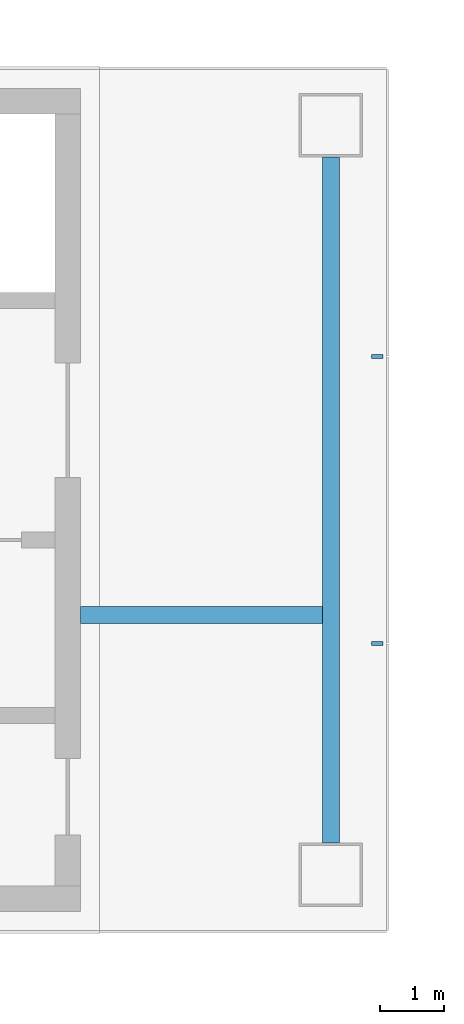
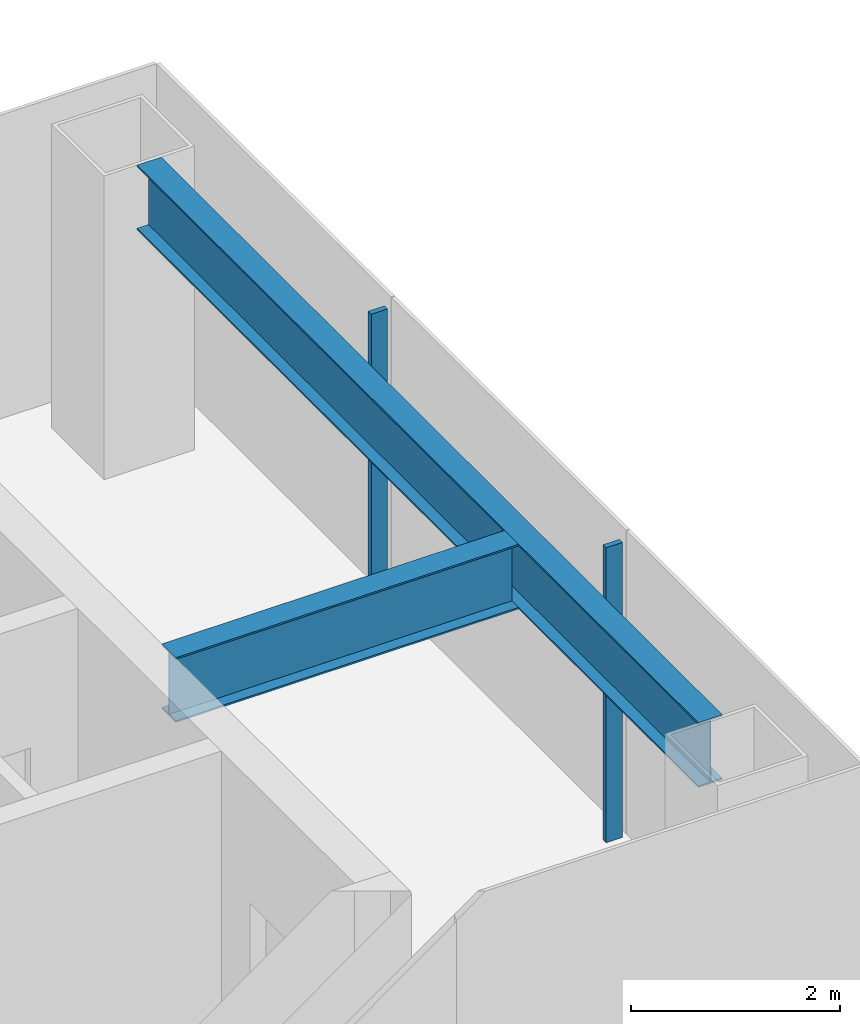
# One storey, part 4 of 16: 2 beams, 2 members, 1 element without a shape of its own.
"""IFC4 building model written with IfcOpenShell, lengths in metres."""

import ifcopenshell
import ifcopenshell.guid

model = None  # the IFC model being written
_history = None  # IfcOwnerHistory: only IFC2X3 demands one
_inside = {}  # id of a spatial element -> (the spatial element, [elements in it])
_under = {}  # id of a project, library or spatial element -> (it, [spatial elements below it])
_declared = {}  # id of a project -> (the project, [libraries it declares])
_typed = {}  # id of a type object -> (the type object, [elements of that type])
_made_of = {}  # id of a material, layer set ... -> (it, [elements and type objects made of it])


def new_model(schema):
    """Start an empty IFC model of exactly this schema.

    Asked for "IFC4X3", IfcOpenShell would pick the latest addendum, in which some entities
    have other attributes; the version numbers below select the first issue.
    IFC2X3 requires an IfcOwnerHistory on every rooted entity: one is made here for all.
    """
    global model, _history
    if schema == "IFC4X3":
        model = ifcopenshell.file(schema_version=(4, 3, 0, 0))
    else:
        model = ifcopenshell.file(schema=schema)
    _inside.clear()
    _under.clear()
    _declared.clear()
    _typed.clear()
    _made_of.clear()
    _history = None
    if model.schema == "IFC2X3":
        org = make("IfcOrganization", Name="unknown")
        user = make(
            "IfcPersonAndOrganization",
            ThePerson=make("IfcPerson", FamilyName="unknown"),
            TheOrganization=org,
        )
        app = make(
            "IfcApplication",
            ApplicationDeveloper=org,
            Version="unknown",
            ApplicationFullName="unknown",
            ApplicationIdentifier="unknown",
        )
        _history = make(
            "IfcOwnerHistory",
            OwningUser=user,
            OwningApplication=app,
            ChangeAction="ADDED",
            CreationDate=0,
        )
    return model


def make(cls, **values):
    """One entity of the class cls with the attributes given. An attribute that is None is left unset."""
    return model.create_entity(
        cls, **{name: value for name, value in values.items() if value is not None}
    )


def rooted(cls, **values):
    """An entity with a GlobalId (a new one), such as an element, a storey or a relation."""
    return make(cls, GlobalId=ifcopenshell.guid.new(), OwnerHistory=_history, **values)


def si_unit(unit_type, name, prefix=None):
    """IfcSIUnit, for example si_unit("LENGTHUNIT", "METRE", prefix="MILLI")."""
    return make("IfcSIUnit", UnitType=unit_type, Prefix=prefix, Name=name)


def assignment(units):
    """IfcUnitAssignment: the units of a project."""
    return None if units is None else make("IfcUnitAssignment", Units=units)


def point(xyz):
    """IfcCartesianPoint."""
    return None if xyz is None else make("IfcCartesianPoint", Coordinates=xyz)


def direction(xyz):
    """IfcDirection."""
    return None if xyz is None else make("IfcDirection", DirectionRatios=xyz)


def frame(location, z_axis=None, x_axis=None):
    """IfcAxis2Placement3D, a coordinate frame: its origin and axes. An axis left out is left unset."""
    return make(
        "IfcAxis2Placement3D",
        Location=point(location),
        Axis=direction(z_axis),
        RefDirection=direction(x_axis),
    )


def frame_2d(location, x_axis=None):
    """IfcAxis2Placement2D, a coordinate frame in the plane: its origin and x axis."""
    return make(
        "IfcAxis2Placement2D", Location=point(location), RefDirection=direction(x_axis)
    )


def origin():
    """The frame at (0, 0, 0) with its axes left unset."""
    return frame((0.0, 0.0, 0.0))


def origin_2d():
    """The frame at (0, 0) in the plane with its x axis left unset."""
    return frame_2d((0.0, 0.0))


def place(relative_to, where):
    """IfcLocalPlacement: puts the frame where relative to a parent placement (None: the world)."""
    return make(
        "IfcLocalPlacement", PlacementRelTo=relative_to, RelativePlacement=where
    )


def context(
    kind, dimensions, precision=None, world=None, true_north=None, identifier=None
):
    """IfcGeometricRepresentationContext, for example the 3D "Model" context."""
    return make(
        "IfcGeometricRepresentationContext",
        ContextIdentifier=identifier,
        ContextType=kind,
        CoordinateSpaceDimension=dimensions,
        Precision=precision,
        WorldCoordinateSystem=world,
        TrueNorth=true_north,
    )


def subcontext(parent, identifier, kind, view, scale=None):
    """IfcGeometricRepresentationSubContext, for example "Body" below "Model"."""
    return make(
        "IfcGeometricRepresentationSubContext",
        ContextIdentifier=identifier,
        ContextType=kind,
        ParentContext=parent,
        TargetScale=scale,
        TargetView=view,
    )


def project(units=None, contexts=None):
    """IfcProject with its units and contexts."""
    return rooted(
        "IfcProject",
        Name="project",
        RepresentationContexts=contexts,
        UnitsInContext=assignment(units),
    )


def spatial(cls, under=None, at=None, **own):
    """A site, building, storey or space (cls), placed at a placement, below another one or the project."""
    s = rooted(cls, ObjectPlacement=at, **own)
    if under is not None:
        _under.setdefault(under.id(), (under, []))[1].append(s)
    return s


def profile(cls, at=None, kind="AREA", **sizes):
    """A parametric profile (cls). Its sizes go by their IFC names, for example OverallWidth=200.0."""
    return make(cls, ProfileType=kind, Position=at, **sizes)


def rectangle(**sizes):
    """IfcRectangleProfileDef."""
    return profile("IfcRectangleProfileDef", **sizes)


def i_section(**sizes):
    """IfcIShapeProfileDef."""
    return profile("IfcIShapeProfileDef", **sizes)


def extrude(swept, where, along, depth):
    """IfcExtrudedAreaSolid: the profile swept, set in the frame where, extruded along a direction by depth."""
    return make(
        "IfcExtrudedAreaSolid",
        SweptArea=swept,
        Position=where,
        ExtrudedDirection=direction(along),
        Depth=depth,
    )


def shape(context_of_items, identifier, shape_type, items):
    """IfcShapeRepresentation: the items that make up one representation, for example the "Body"."""
    return make(
        "IfcShapeRepresentation",
        ContextOfItems=context_of_items,
        RepresentationIdentifier=identifier,
        RepresentationType=shape_type,
        Items=items,
    )


def material(Name=None, Category=None):
    """IfcMaterial."""
    return make("IfcMaterial", Name=Name, Category=Category)


def layer(
    of_material, thickness, ventilated=None, Name=None, Category=None, Priority=None
):
    """IfcMaterialLayer: one layer of a wall or slab, of a material (None: an air gap)."""
    return make(
        "IfcMaterialLayer",
        Material=of_material,
        LayerThickness=thickness,
        IsVentilated=ventilated,
        Name=Name,
        Category=Category,
        Priority=Priority,
    )


def layer_set(layers, Name=None):
    """IfcMaterialLayerSet."""
    return make("IfcMaterialLayerSet", MaterialLayers=layers, LayerSetName=Name)


def material_profile(
    of_material, cross_section, Name=None, Category=None, Priority=None
):
    """IfcMaterialProfile: a cross section and its material."""
    return make(
        "IfcMaterialProfile",
        Name=Name,
        Material=of_material,
        Profile=cross_section,
        Priority=Priority,
        Category=Category,
    )


def profile_set(profiles, Name=None, composite=None):
    """IfcMaterialProfileSet."""
    return make(
        "IfcMaterialProfileSet",
        Name=Name,
        MaterialProfiles=profiles,
        CompositeProfile=composite,
    )


def made_of(thing, what):
    """Note that an element or type object is made of a material, layer set ...; save() writes the relation."""
    if what is not None:
        _made_of.setdefault(what.id(), (what, []))[1].append(thing)
    return thing


def type_object(cls, material=None, **own):
    """A type object (cls), such as IfcWallType, which elements share."""
    return made_of(rooted(cls, **own), material)


def element(
    cls,
    number,
    at=None,
    inside=None,
    cuts=None,
    type_object=None,
    material=None,
    context=None,
    identifier="Body",
    shape_type=None,
    held_by="IfcProductDefinitionShape",
    body=None,
    shapes=None,
    **own,
):
    """One element of the class cls, such as IfcWall. Its Tag is "e" and its number.

    at: its placement. inside: the storey or other place that contains it. cuts: it is an
    opening in that element (IfcRelVoidsElement). A single representation is given by context,
    identifier, shape_type and body (its items); several are given by shapes. held_by: the class
    of the entity that holds the representations. save() writes the other relations.
    """
    e = rooted(cls, Tag="e%d" % number, ObjectPlacement=at, **own)
    if body is not None:
        shapes = [shape(context, identifier, shape_type, body)]
    if shapes is not None:
        e.Representation = make(held_by, Representations=shapes)
    if inside is not None:
        _inside.setdefault(inside.id(), (inside, []))[1].append(e)
    if cuts is not None:
        rooted(
            "IfcRelVoidsElement", RelatingBuildingElement=cuts, RelatedOpeningElement=e
        )
    if type_object is not None:
        _typed.setdefault(type_object.id(), (type_object, []))[1].append(e)
    return made_of(e, material)


def aggregate(whole, parts):
    """IfcRelAggregates: a whole, such as a stair, and the parts it consists of."""
    return rooted("IfcRelAggregates", RelatingObject=whole, RelatedObjects=parts)


def save(model, path):
    """Write the relations noted so far, then the file.

    IfcRelAggregates (storeys below a building ...), IfcRelContainedInSpatialStructure (elements
    in a storey), IfcRelDefinesByType, IfcRelAssociatesMaterial and IfcRelDeclares: one each for
    every whole, place, type object, material and project.
    """
    for whole, parts in _under.values():
        aggregate(whole, parts)
    for where, things in _inside.values():
        rooted(
            "IfcRelContainedInSpatialStructure",
            RelatedElements=things,
            RelatingStructure=where,
        )
    for kind, things in _typed.values():
        rooted("IfcRelDefinesByType", RelatedObjects=things, RelatingType=kind)
    for what, things in _made_of.values():
        rooted("IfcRelAssociatesMaterial", RelatedObjects=things, RelatingMaterial=what)
    for by, libraries in _declared.values():
        rooted("IfcRelDeclares", RelatingContext=by, RelatedDefinitions=libraries)
    model.write(path)


model = new_model("IFC4")

# Units and contexts
model_context = context("Model", 3, precision=1e-05, world=origin(), true_north=direction((0.0, 1.0)))
body_context = subcontext(model_context, "Body", "Model", "MODEL_VIEW")
ifc_project = project(units=[si_unit("LENGTHUNIT", "METRE"), si_unit("AREAUNIT", "SQUARE_METRE"), si_unit("VOLUMEUNIT", "CUBIC_METRE"), si_unit("PLANEANGLEUNIT", "RADIAN"), si_unit("MASSUNIT", "GRAM", prefix="KILO")], contexts=[model_context])

# Site, building, storey
site_placement = place(None, origin())
site = spatial("IfcSite", under=ifc_project, at=site_placement, CompositionType="ELEMENT")
building_placement = place(site_placement, origin())
building = spatial("IfcBuilding", under=site, at=building_placement, Name="Shamsa Quay Exchange Towers", CompositionType="ELEMENT")
storey_placement = place(building_placement, frame((0.0, 0.0, 186.60009765625)))
storey = spatial("IfcBuildingStorey", under=building, at=storey_placement, Name="L44", CompositionType="ELEMENT", Elevation=186.60009765625)

# Curtain wall, members
ifc_material_1 = material(Name="Aluminium EN AW-6063 T6, black anodised", Category="aluminium")
ifc_layer = layer(ifc_material_1, 0.280029296875)
ifc_layer_set = layer_set([ifc_layer], Name="CW-1 UNITISED VISION GLASS")
curtain_wall_type = type_object("IfcCurtainWallType", Name="CW-1 UNITISED VISION GLASS", PredefinedType="NOTDEFINED", material=ifc_layer_set)
curtain_wall_placement = place(storey_placement, origin())
curtain_wall = element("IfcCurtainWall", 1, at=curtain_wall_placement, inside=storey, type_object=curtain_wall_type, Name="CW1 T1-END-U+ L44", PredefinedType="NOTDEFINED")
ifc_material_profile_1 = material_profile(ifc_material_1, rectangle(XDim=0.179931640625, YDim=0.06005859375, at=origin_2d()), Name="MU60x180")
ifc_profile_set_1 = profile_set([ifc_material_profile_1], Name="Aluminium EN AW-6063 T6, black anodised")
member_type = type_object("IfcMemberType", Name="CW1 MULLION 60x180", PredefinedType="MULLION", material=ifc_profile_set_1)
member_1_placement = place(storey_placement, frame((-9.14990234375, -2.25, 0.0), z_axis=(0.0, 0.0, 1.0), x_axis=(-1.0, 0.0, 0.0)))
member_1 = element("IfcMember", 2, at=member_1_placement, type_object=member_type, Name="CW1 mullion", PredefinedType="MULLION", context=body_context, shape_type="SweptSolid", body=[
    extrude(rectangle(XDim=0.179931640625, YDim=0.06005859375, at=origin_2d()), origin(), (0.0, 0.0, 1.0), 3.449951171875),
])
member_2_placement = place(storey_placement, frame((-9.14990234375, 2.25, 0.0), z_axis=(0.0, 0.0, 1.0), x_axis=(-1.0, 0.0, 0.0)))
member_2 = element("IfcMember", 3, at=member_2_placement, type_object=member_type, Name="CW1 mullion", PredefinedType="MULLION", context=body_context, shape_type="SweptSolid", body=[
    extrude(rectangle(XDim=0.179931640625, YDim=0.06005859375, at=origin_2d()), origin(), (0.0, 0.0, 1.0), 3.449951171875),
])
aggregate(curtain_wall, [member_1, member_2])

# Beams
ifc_material_2 = material(Name="Steel S355", Category="steel")
ifc_material_profile_2 = material_profile(ifc_material_2, i_section(OverallWidth=0.26611328125, OverallDepth=0.7578125, WebThickness=0.013916015625, FlangeThickness=0.019287109375, at=origin_2d()), Name="W30x108")
ifc_profile_set_2 = profile_set([ifc_material_profile_2], Name="Steel S355")
beam_type = type_object("IfcBeamType", Name="End-zone beam W30x108", PredefinedType="BEAM", material=ifc_profile_set_2)
beam_1_placement = place(storey_placement, frame((-9.875, -5.375, 3.171142578125), z_axis=(0.0, 1.0, 0.0), x_axis=(-1.0, 0.0, 0.0)))
element("IfcBeam", 4, at=beam_1_placement, inside=storey, type_object=beam_type, Name="End beam T1 U+ end zone L44", PredefinedType="BEAM", context=body_context, shape_type="SweptSolid", body=[
    extrude(i_section(OverallWidth=0.26611328125, OverallDepth=0.7578125, WebThickness=0.013916015625, FlangeThickness=0.019287109375, at=origin_2d()), origin(), (0.0, 0.0, 1.0), 10.75),
])
beam_2_placement = place(storey_placement, frame((-13.800048828125, -1.800048828125, 3.171142578125), z_axis=(1.0, 0.0, 0.0), x_axis=(0.0, 1.0, 0.0)))
element("IfcBeam", 5, at=beam_2_placement, inside=storey, type_object=beam_type, Name="Spine beam T1 U+ end zone L44", PredefinedType="BEAM", context=body_context, shape_type="SweptSolid", body=[
    extrude(i_section(OverallWidth=0.26611328125, OverallDepth=0.7578125, WebThickness=0.013916015625, FlangeThickness=0.019287109375, at=origin_2d()), origin(), (0.0, 0.0, 1.0), 3.7919921875),
])

save(model, "model.ifc")
